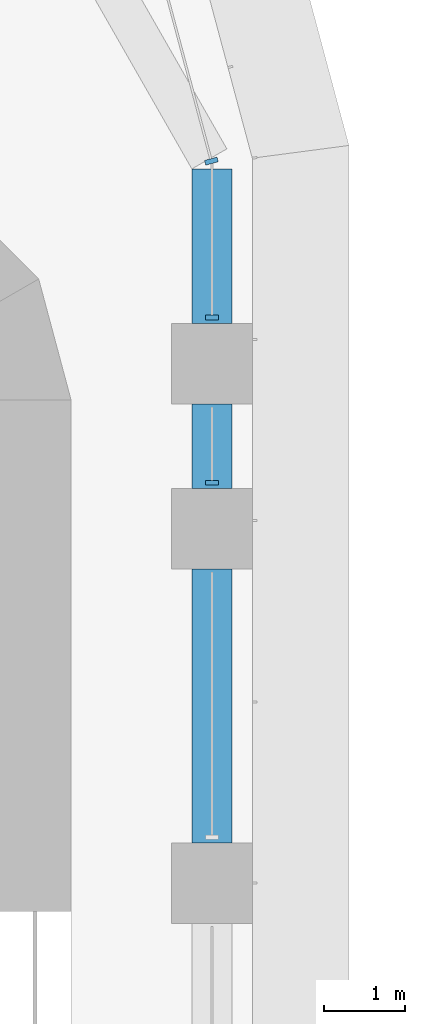
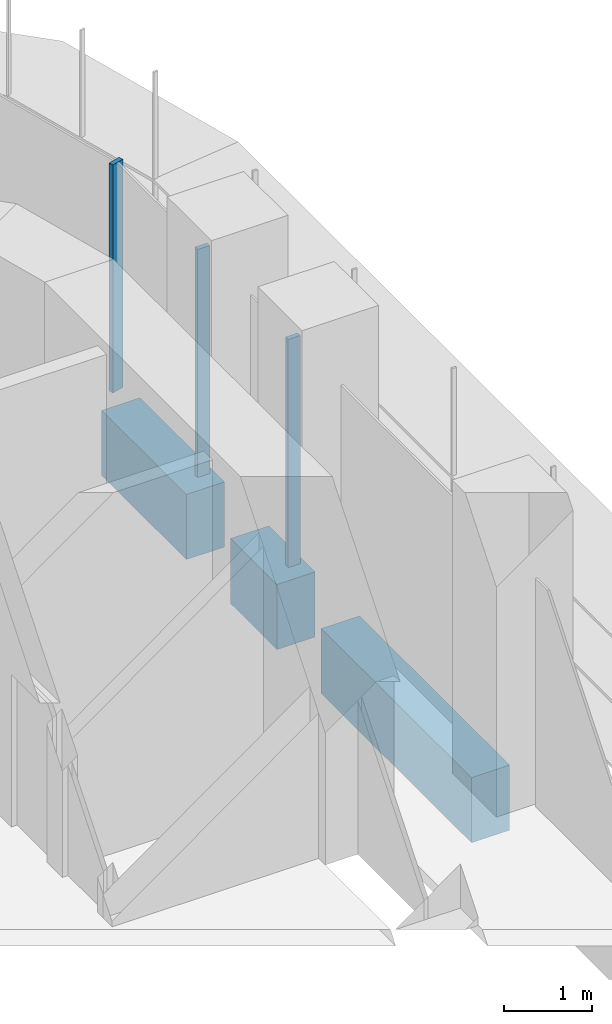
# One storey, part 10 of 23: 3 beams, 3 members, 2 elements without a shape of their own.
"""IFC4 building model written with IfcOpenShell, lengths in metres."""

from ifc_helpers import new_model, si_unit, direction, frame, origin, origin_2d, place, context, subcontext, project, spatial, polyline, rectangle, outline, extrude, source, transform, mapped, material, material_profile, profile_set, type_object, element, aggregate, save


model = new_model("IFC4")

# Units and contexts
model_context = context("Model", 3, precision=1e-05, world=origin(), true_north=direction((0.0, 1.0)))
body_context = subcontext(model_context, "Body", "Model", "MODEL_VIEW")
ifc_project = project(units=[si_unit("LENGTHUNIT", "METRE"), si_unit("AREAUNIT", "SQUARE_METRE"), si_unit("VOLUMEUNIT", "CUBIC_METRE"), si_unit("PLANEANGLEUNIT", "RADIAN"), si_unit("MASSUNIT", "GRAM", prefix="KILO")], contexts=[model_context])

# Site, building, storey
site_placement = place(None, origin())
site = spatial("IfcSite", under=ifc_project, at=site_placement, CompositionType="ELEMENT")
building_placement = place(site_placement, origin())
building = spatial("IfcBuilding", under=site, at=building_placement, Name="Zarbagh Exchange Tower", CompositionType="ELEMENT")
storey_placement = place(building_placement, frame((0.0, 0.0, 52.199951171875)))
storey = spatial("IfcBuildingStorey", under=building, at=storey_placement, Name="L11", CompositionType="ELEMENT", Elevation=52.199951171875)

# Beams
ifc_material_1 = material(Name="Concrete C60/75", Category="concrete")
ifc_material_profile = material_profile(ifc_material_1, rectangle(XDim=0.5, YDim=0.89990234375, at=origin_2d()), Name="RC spandrel beam 500 x 900 C60/75")
ifc_profile_set = profile_set([ifc_material_profile], Name="Concrete C60/75")
beam_type = type_object("IfcBeamType", Name="RC spandrel beam 500 x 900 C60/75", PredefinedType="SPANDREL", material=ifc_profile_set)
beam_1_placement = place(storey_placement, frame((6.25, 29.117919921875, -0.599853515625), z_axis=(0.0, -1.0, 0.0), x_axis=(1.0, 0.0, 0.0)))
element("IfcBeam", 1, at=beam_1_placement, inside=storey, type_object=beam_type, Name="RC spandrel beam", PredefinedType="SPANDREL", context=body_context, shape_type="SweptSolid", body=[
    extrude(rectangle(XDim=0.5, YDim=0.89990234375, at=origin_2d()), origin(), (0.0, 0.0, 1.0), 1.91796875),
])
beam_2_placement = place(storey_placement, frame((6.25, 26.199951171875, -0.599853515625), z_axis=(0.0, -1.0, 0.0), x_axis=(1.0, 0.0, 0.0)))
element("IfcBeam", 2, at=beam_2_placement, inside=storey, type_object=beam_type, Name="RC spandrel beam", PredefinedType="SPANDREL", context=body_context, shape_type="SweptSolid", body=[
    extrude(rectangle(XDim=0.5, YDim=0.89990234375, at=origin_2d()), origin(), (0.0, 0.0, 1.0), 1.050048828125),
])
beam_3_placement = place(storey_placement, frame((6.25, 24.14990234375, -0.599853515625), z_axis=(0.0, -1.0, 0.0), x_axis=(1.0, 0.0, 0.0)))
element("IfcBeam", 3, at=beam_3_placement, inside=storey, type_object=beam_type, Name="RC spandrel beam", PredefinedType="SPANDREL", context=body_context, shape_type="SweptSolid", body=[
    extrude(rectangle(XDim=0.5, YDim=0.89990234375, at=origin_2d()), origin(), (0.0, 0.0, 1.0), 3.39990234375),
])

# Curtain wall, members
ifc_material_2 = material(Name="Anodised aluminium frame and glazing", Category="aluminium")
curtain_wall_type = type_object("IfcCurtainWallType", Name="CWA Ribbon glazing, lower zones", PredefinedType="NOTDEFINED", material=ifc_material_2)
curtain_wall_1_placement = place(storey_placement, origin())
curtain_wall_1 = element("IfcCurtainWall", 4, at=curtain_wall_1_placement, inside=storey, type_object=curtain_wall_type, Name="CWA20 curtain wall", PredefinedType="NOTDEFINED")
ifc_material_3 = material(Name="Anodised aluminium frame", Category="aluminium")
member_type = type_object("IfcMemberType", Name="MUA Mullion, anodised aluminium frame", PredefinedType="MULLION", material=ifc_material_3)
shared_shape = source(origin(), body_context, "Body", "SweptSolid", [
    extrude(outline(polyline([(0.0, -0.080078125), (0.06005859375, -0.080078125), (0.06005859375, 0.080078125), (0.0, 0.080078125), (0.0, -0.080078125)])), origin(), (0.0, 0.0, 1.0), 3.14990234375),
])
placement = place(storey_placement, origin())
member_1 = element("IfcMember", 5, at=placement, type_object=member_type, Name="CWA20 mullion 4.1", PredefinedType="MULLION", context=body_context, shape_type="MappedRepresentation", body=[
    mapped(shared_shape, transform((6.25, 25.18994140625, 0.0), x_axis=(0.0, 1.0, 0.0), y_axis=(-1.0, 0.0, 0.0), z_axis=(0.0, 0.0, 1.0))),
])
member_2 = element("IfcMember", 6, at=placement, type_object=member_type, Name="CWA20 mullion 5.1", PredefinedType="MULLION", context=body_context, shape_type="MappedRepresentation", body=[
    mapped(shared_shape, transform((6.25, 27.239990234375, 0.0), x_axis=(0.0, 1.0, 0.0), y_axis=(-1.0, 0.0, 0.0), z_axis=(0.0, 0.0, 1.0))),
])
aggregate(curtain_wall_1, [member_1, member_2])

# Curtain wall, member
curtain_wall_2_placement = place(storey_placement, origin())
curtain_wall_2 = element("IfcCurtainWall", 7, at=curtain_wall_2_placement, inside=storey, type_object=curtain_wall_type, Name="CWA21 curtain wall", PredefinedType="NOTDEFINED")
member_3 = element("IfcMember", 8, at=placement, type_object=member_type, Name="CWA21 mullion 1.1", PredefinedType="MULLION", context=body_context, shape_type="MappedRepresentation", body=[
    mapped(shared_shape, transform((6.25, 29.18408203125, 0.0), x_axis=(-0.258824779902, 0.965924289636, 0.0), y_axis=(-0.965924289636, -0.258824779902, 0.0), z_axis=(0.0, 0.0, 1.0))),
])
aggregate(curtain_wall_2, [member_3])

save(model, "model.ifc")
